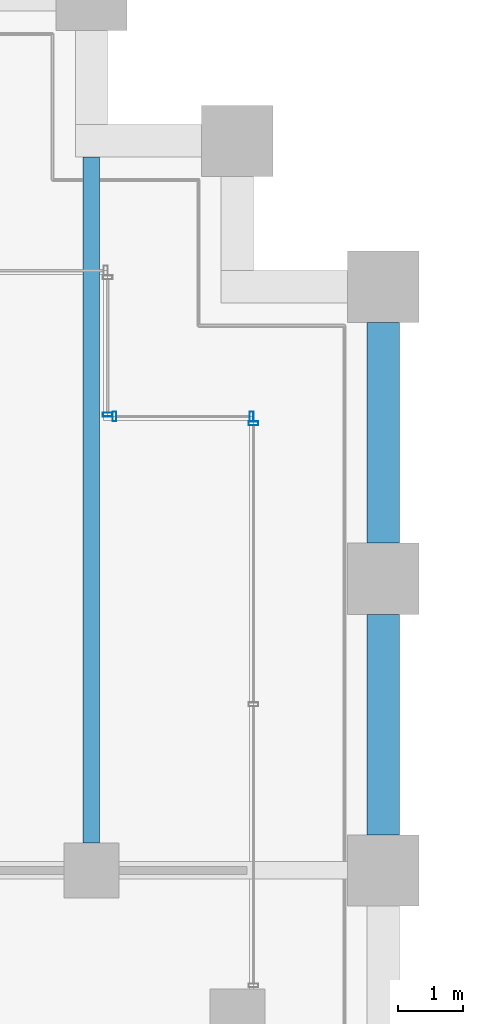
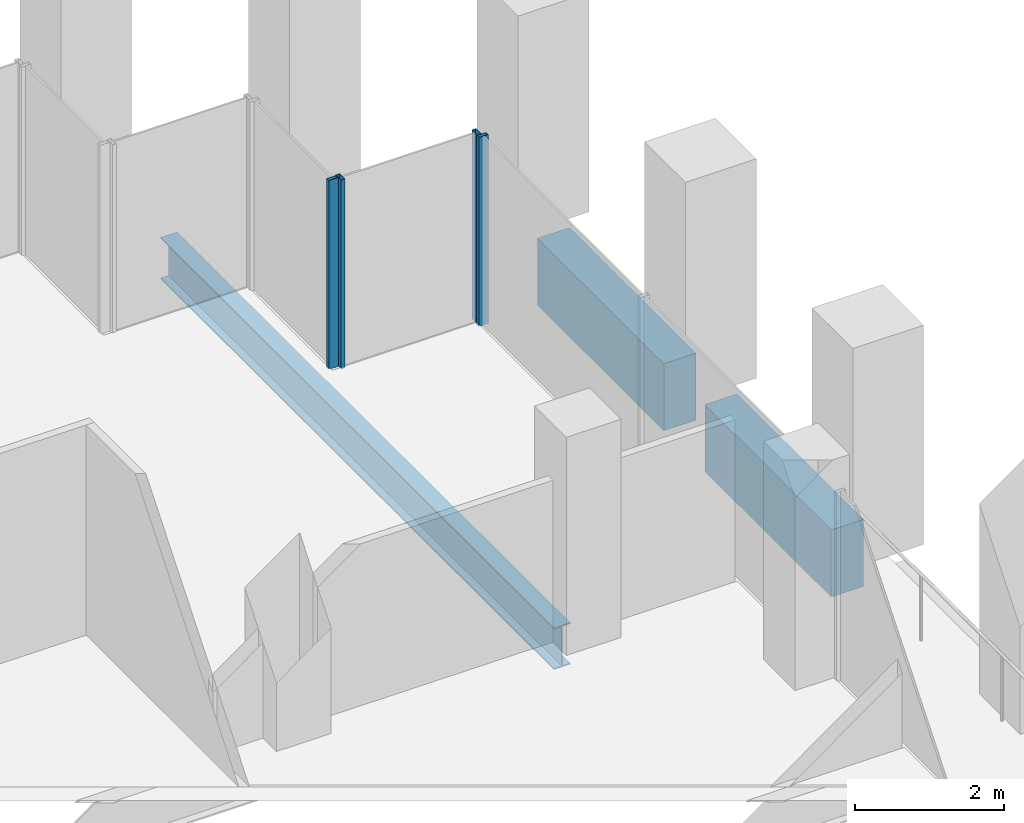
# One storey, part 31 of 56: 4 members, 3 beams, 3 elements without a shape of their own.
"""IFC4 building model written with IfcOpenShell, lengths in metres."""

from ifc_helpers import new_model, si_unit, direction, frame, origin, origin_2d, place, context, subcontext, project, spatial, rectangle, hollow_rectangle, i_section, extrude, material, material_profile, profile_set, type_object, element, aggregate, save


model = new_model("IFC4")

# Units and contexts
model_context = context("Model", 3, precision=1e-05, world=origin(), true_north=direction((0.0, 1.0)))
body_context = subcontext(model_context, "Body", "Model", "MODEL_VIEW")
ifc_project = project(units=[si_unit("LENGTHUNIT", "METRE"), si_unit("AREAUNIT", "SQUARE_METRE"), si_unit("VOLUMEUNIT", "CUBIC_METRE"), si_unit("PLANEANGLEUNIT", "RADIAN"), si_unit("MASSUNIT", "GRAM", prefix="KILO")], contexts=[model_context])

# Site, building, storey
site_placement = place(None, origin())
site = spatial("IfcSite", under=ifc_project, at=site_placement, CompositionType="ELEMENT")
building_placement = place(site_placement, origin())
building = spatial("IfcBuilding", under=site, at=building_placement, Name="Altepetl Exchange Towers", CompositionType="ELEMENT")
storey_placement = place(building_placement, frame((0.0, 0.0, 79.800048828125)))
storey = spatial("IfcBuildingStorey", under=building, at=storey_placement, Name="L19", CompositionType="ELEMENT", Elevation=79.800048828125)

# Beam
ifc_material_1 = material(Name="Steel S355", Category="steel")
ifc_material_profile_1 = material_profile(ifc_material_1, i_section(OverallWidth=0.25390625, OverallDepth=0.68408203125, WebThickness=0.012451171875, FlangeThickness=0.018798828125, at=origin_2d()), Name="W27X94")
ifc_profile_set_1 = profile_set([ifc_material_profile_1], Name="Steel S355")
beam_type_1 = type_object("IfcBeamType", Name="Floor beam W27X94", PredefinedType="BEAM", material=ifc_profile_set_1)
beam_placement = place(storey_placement, frame((67.5, 58.925048828125, -0.491943359375), z_axis=(0.0, 1.0, 0.0), x_axis=(-1.0, 0.0, 0.0)))
element("IfcBeam", 1, at=beam_placement, inside=storey, type_object=beam_type_1, Name="bm:A:L19:005", PredefinedType="BEAM", context=body_context, shape_type="SweptSolid", body=[
    extrude(i_section(OverallWidth=0.25390625, OverallDepth=0.68408203125, WebThickness=0.012451171875, FlangeThickness=0.018798828125, at=origin_2d()), origin(), (0.0, 0.0, 1.0), 10.574951171875),
])

# Curtain wall, member
ifc_material_2 = material(Name="Aluminium 6063-T6 glazing", Category="aluminium")
curtain_wall_type = type_object("IfcCurtainWallType", Name="Loggia glazing system", PredefinedType="NOTDEFINED", material=ifc_material_2)
curtain_wall_1_placement = place(storey_placement, origin())
curtain_wall_1 = element("IfcCurtainWall", 2, at=curtain_wall_1_placement, inside=storey, type_object=curtain_wall_type, Name="CW1 run", PredefinedType="NOTDEFINED")
ifc_material_3 = material(Name="Aluminium 6063-T6", Category="aluminium")
ifc_material_profile_2 = material_profile(ifc_material_3, hollow_rectangle(XDim=0.06005859375, YDim=0.14990234375, WallThickness=0.0029296875, at=origin_2d()), Name="Mullion 60x150 aluminium")
ifc_profile_set_2 = profile_set([ifc_material_profile_2], Name="Aluminium 6063-T6")
member_type = type_object("IfcMemberType", Name="Mullion 60x150 aluminium", PredefinedType="MULLION", material=ifc_profile_set_2)
member_1_placement = place(storey_placement, frame((70.0, 65.39501953125, 0.0), z_axis=(0.0, 0.0, 1.0), x_axis=(0.0, 1.0, 0.0)))
member_1 = element("IfcMember", 3, at=member_1_placement, type_object=member_type, Name="MU1 mullion", PredefinedType="MULLION", context=body_context, shape_type="SweptSolid", body=[
    extrude(hollow_rectangle(XDim=0.06005859375, YDim=0.14990234375, WallThickness=0.0029296875, at=origin_2d()), origin(), (0.0, 0.0, 1.0), 3.099853515625),
])
aggregate(curtain_wall_1, [member_1])

# Curtain wall, members
curtain_wall_2_placement = place(storey_placement, origin())
curtain_wall_2 = element("IfcCurtainWall", 4, at=curtain_wall_2_placement, inside=storey, type_object=curtain_wall_type, Name="CW1 run", PredefinedType="NOTDEFINED")
member_2_placement = place(storey_placement, frame((69.969970703125, 65.5, 0.0), z_axis=(0.0, 0.0, 1.0), x_axis=(-1.0, 0.0, 0.0)))
member_2 = element("IfcMember", 5, at=member_2_placement, type_object=member_type, Name="MU1 mullion", PredefinedType="MULLION", context=body_context, shape_type="SweptSolid", body=[
    extrude(hollow_rectangle(XDim=0.06005859375, YDim=0.14990234375, WallThickness=0.0029296875, at=origin_2d()), origin(), (0.0, 0.0, 1.0), 3.099853515625),
])
member_3_placement = place(storey_placement, frame((67.85498046875, 65.5, 0.0), z_axis=(0.0, 0.0, 1.0), x_axis=(-1.0, 0.0, 0.0)))
member_3 = element("IfcMember", 6, at=member_3_placement, type_object=member_type, Name="MU1 mullion", PredefinedType="MULLION", context=body_context, shape_type="SweptSolid", body=[
    extrude(hollow_rectangle(XDim=0.06005859375, YDim=0.14990234375, WallThickness=0.0029296875, at=origin_2d()), origin(), (0.0, 0.0, 1.0), 3.099853515625),
])
aggregate(curtain_wall_2, [member_2, member_3])

# Curtain wall, member
curtain_wall_3_placement = place(storey_placement, origin())
curtain_wall_3 = element("IfcCurtainWall", 7, at=curtain_wall_3_placement, inside=storey, type_object=curtain_wall_type, Name="CW1 run", PredefinedType="NOTDEFINED")
member_4_placement = place(storey_placement, frame((67.75, 65.530029296875, 0.0), z_axis=(0.0, 0.0, 1.0), x_axis=(0.0, 1.0, 0.0)))
member_4 = element("IfcMember", 8, at=member_4_placement, type_object=member_type, Name="MU1 mullion", PredefinedType="MULLION", context=body_context, shape_type="SweptSolid", body=[
    extrude(hollow_rectangle(XDim=0.06005859375, YDim=0.14990234375, WallThickness=0.0029296875, at=origin_2d()), origin(), (0.0, 0.0, 1.0), 3.099853515625),
])
aggregate(curtain_wall_3, [member_4])

# Beams
ifc_material_4 = material(Name="Concrete C50/60 precast with cantera rosa facing", Category="concrete")
ifc_material_profile_3 = material_profile(ifc_material_4, rectangle(XDim=0.5, YDim=1.10009765625, at=origin_2d()), Name="500 x 1100")
ifc_profile_set_3 = profile_set([ifc_material_profile_3], Name="Concrete C50/60 precast with cantera rosa facing")
beam_type_2 = type_object("IfcBeamType", Name="Spandrel beam 500x1100 cantera rosa", PredefinedType="SPANDREL", material=ifc_profile_set_3)
for number, where, z_axis, x_axis, name in (
    (9, (72.0, 59.050048828125, -0.699951171875), (0.0, 1.0, 0.0), (-1.0, 0.0, 0.0), "sp:A:L19:018"),
    (10, (72.0, 63.550048828125, -0.699951171875), (0.0, 1.0, 0.0), (-1.0, 0.0, 0.0), "sp:A:L19:019"),
):
    element("IfcBeam", number, at=place(storey_placement, frame(where, z_axis=z_axis, x_axis=x_axis)), inside=storey, type_object=beam_type_2, Name=name, PredefinedType="SPANDREL", context=body_context, shape_type="SweptSolid", body=[
        extrude(rectangle(XDim=0.5, YDim=1.10009765625, at=origin_2d()), origin(), (0.0, 0.0, 1.0), 3.39990234375),
    ])

save(model, "model.ifc")
